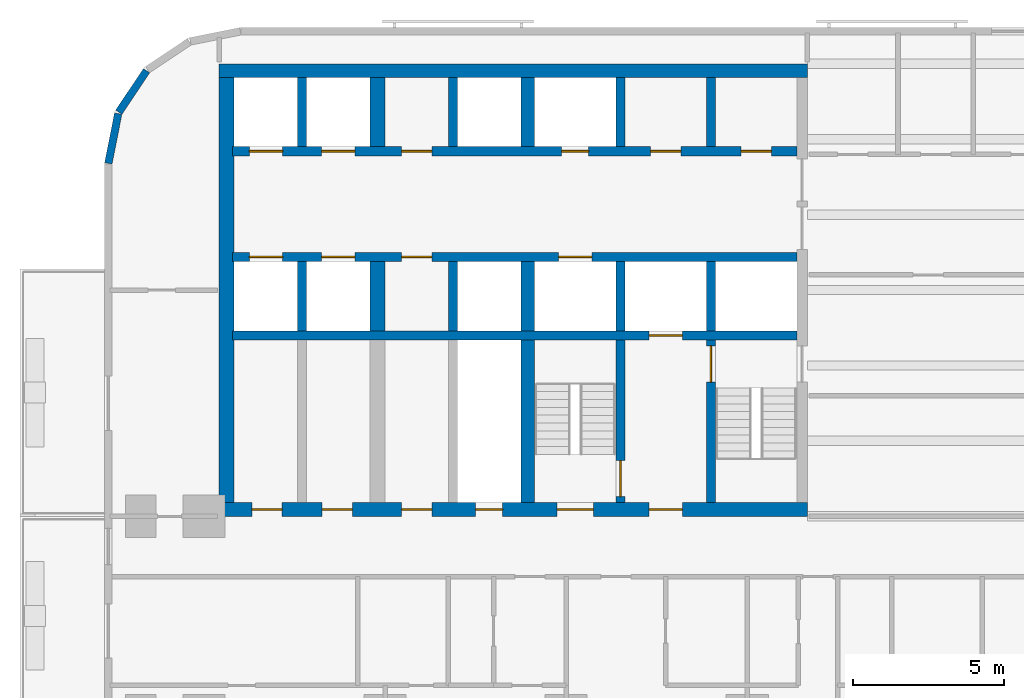
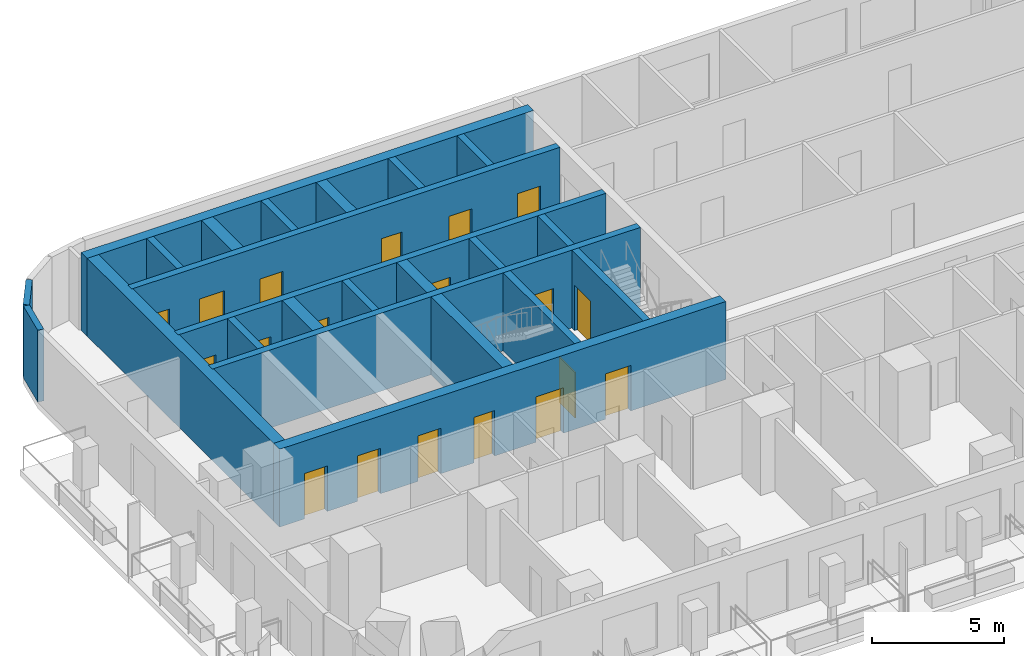
# One storey, part 3 of 14: 23 walls, 19 doors, 19 openings.
"""IFC4 building model written with IfcOpenShell, lengths in metres."""

from ifc_helpers import new_model, si_unit, direction, frame, frame_2d, origin, place, context, subcontext, project, spatial, rectangle, extrude, material, layer, layer_set, type_object, element, fill, save


model = new_model("IFC4")

# Units and contexts
model_context = context("Model", 3, precision=1e-05, world=origin(), true_north=direction((0.0, 1.0)))
body_context = subcontext(model_context, "Body", "Model", "MODEL_VIEW")
ifc_project = project(units=[si_unit("LENGTHUNIT", "METRE"), si_unit("AREAUNIT", "SQUARE_METRE"), si_unit("VOLUMEUNIT", "CUBIC_METRE"), si_unit("PLANEANGLEUNIT", "RADIAN"), si_unit("MASSUNIT", "GRAM", prefix="KILO")], contexts=[model_context])

# Site, building, storey
site_placement = place(None, origin())
site = spatial("IfcSite", under=ifc_project, at=site_placement, CompositionType="ELEMENT")
building_placement = place(site_placement, origin())
building = spatial("IfcBuilding", under=site, at=building_placement, Name="Torana Hotel and Residences", CompositionType="ELEMENT")
storey_placement = place(building_placement, frame((0.0, 0.0, 96.0)))
storey = spatial("IfcBuildingStorey", under=building, at=storey_placement, Name="L24", CompositionType="ELEMENT", Elevation=96.0)

# Wall, openings, doors
ifc_material_1 = material(Name="Concrete C80/95", Category="concrete")
ifc_layer_1 = layer(ifc_material_1, 0.300048828125)
ifc_layer_set_1 = layer_set([ifc_layer_1], Name="CORE WALL 300 C80/95")
wall_type_1 = type_object("IfcWallType", Name="CORE WALL 300 C80/95", PredefinedType="SHEAR", material=ifc_layer_set_1)
wall_1_placement = place(storey_placement, frame((-29.050048828125, -2.89990234375, 0.0), z_axis=(0.0, 0.0, 1.0), x_axis=(1.0, 0.0, 0.0)))
wall_1 = element("IfcWall", 1, at=wall_1_placement, inside=storey, type_object=wall_type_1, Name="Core wall W row-N", PredefinedType="SHEAR", context=body_context, shape_type="SweptSolid", body=[
    extrude(rectangle(XDim=18.699951171875, YDim=0.300048828125, at=frame_2d((9.35009765625, 0.0))), origin(), (0.0, 0.0, 1.0), 3.60009765625),
])
opening_1_placement = place(wall_1_placement, frame((2.949951171875, 0.0, 0.0)))
opening_1 = element("IfcOpeningElement", 2, at=opening_1_placement, cuts=wall_1, Name="Opening LD", PredefinedType="OPENING", context=body_context, shape_type="SweptSolid", body=[
    extrude(rectangle(XDim=1.10009765625, YDim=2.10009765625, at=frame_2d((0.550048828125, 1.050048828125))), frame((0.0, 0.159912109375, 0.0), z_axis=(0.0, -1.0, 0.0), x_axis=(1.0, 0.0, 0.0)), (0.0, 0.0, 1.0), 0.320068359375),
])
opening_2_placement = place(wall_1_placement, frame((0.550048828125, 0.0, 0.0)))
opening_2 = element("IfcOpeningElement", 3, at=opening_2_placement, cuts=wall_1, Name="Opening LD", PredefinedType="OPENING", context=body_context, shape_type="SweptSolid", body=[
    extrude(rectangle(XDim=1.10009765625, YDim=2.10009765625, at=frame_2d((0.550048828125, 1.050048828125))), frame((0.0, 0.159912109375, 0.0), z_axis=(0.0, -1.0, 0.0), x_axis=(1.0, 0.0, 0.0)), (0.0, 0.0, 1.0), 0.320068359375),
])
opening_3_placement = place(wall_1_placement, frame((10.89990234375, 0.0, 0.0)))
opening_3 = element("IfcOpeningElement", 4, at=opening_3_placement, cuts=wall_1, Name="Opening L24-10", PredefinedType="OPENING", context=body_context, shape_type="SweptSolid", body=[
    extrude(rectangle(XDim=0.89990234375, YDim=2.10009765625, at=frame_2d((0.449951171875, 1.050048828125))), frame((0.0, 0.159912109375, 0.0), z_axis=(0.0, -1.0, 0.0), x_axis=(1.0, 0.0, 0.0)), (0.0, 0.0, 1.0), 0.320068359375),
])
opening_4_placement = place(wall_1_placement, frame((16.85009765625, 0.0, 0.0)))
opening_4 = element("IfcOpeningElement", 5, at=opening_4_placement, cuts=wall_1, Name="Opening L24-11", PredefinedType="OPENING", context=body_context, shape_type="SweptSolid", body=[
    extrude(rectangle(XDim=1.0, YDim=2.10009765625, at=frame_2d((0.5, 1.050048828125))), frame((0.0, 0.159912109375, 0.0), z_axis=(0.0, -1.0, 0.0), x_axis=(1.0, 0.0, 0.0)), (0.0, 0.0, 1.0), 0.320068359375),
])
opening_5_placement = place(wall_1_placement, frame((13.85009765625, 0.0, 0.0)))
opening_5 = element("IfcOpeningElement", 6, at=opening_5_placement, cuts=wall_1, Name="Opening L24-12", PredefinedType="OPENING", context=body_context, shape_type="SweptSolid", body=[
    extrude(rectangle(XDim=1.0, YDim=2.10009765625, at=frame_2d((0.5, 1.050048828125))), frame((0.0, 0.159912109375, 0.0), z_axis=(0.0, -1.0, 0.0), x_axis=(1.0, 0.0, 0.0)), (0.0, 0.0, 1.0), 0.320068359375),
])
opening_6_placement = place(wall_1_placement, frame((5.60009765625, 0.0, 0.0)))
opening_6 = element("IfcOpeningElement", 7, at=opening_6_placement, cuts=wall_1, Name="Opening L24-13", PredefinedType="OPENING", context=body_context, shape_type="SweptSolid", body=[
    extrude(rectangle(XDim=1.0, YDim=2.10009765625, at=frame_2d((0.5, 1.050048828125))), frame((0.0, 0.159912109375, 0.0), z_axis=(0.0, -1.0, 0.0), x_axis=(1.0, 0.0, 0.0)), (0.0, 0.0, 1.0), 0.320068359375),
])
ifc_material_2 = material(Name="Steel S235", Category="steel")
door_type_1 = type_object("IfcDoorType", Name="CORE ROOM FIRE DOOR D14 1000x2100", OperationType="SINGLE_SWING_LEFT", PredefinedType="DOOR", material=ifc_material_2)
door_1_placement = place(opening_4_placement, origin())
door_1 = element("IfcDoor", 8, at=door_1_placement, inside=storey, type_object=door_type_1, Name="N0 door L24", OperationType="SINGLE_SWING_RIGHT", OverallHeight=2.10009765625, OverallWidth=1.0, PredefinedType="DOOR", context=body_context, shape_type="SweptSolid", body=[
    extrude(rectangle(XDim=1.0, YDim=2.10009765625, at=frame_2d((0.5, 1.050048828125))), frame((0.0, 0.02490234375, 0.0), z_axis=(0.0, -1.0, 0.0), x_axis=(1.0, 0.0, 0.0)), (0.0, 0.0, 1.0), 0.050048828125),
])
fill(opening_4, door_1)
door_2_placement = place(opening_5_placement, origin())
door_2 = element("IfcDoor", 9, at=door_2_placement, inside=storey, type_object=door_type_1, Name="N1 door L24", OperationType="SINGLE_SWING_RIGHT", OverallHeight=2.10009765625, OverallWidth=1.0, PredefinedType="DOOR", context=body_context, shape_type="SweptSolid", body=[
    extrude(rectangle(XDim=1.0, YDim=2.10009765625, at=frame_2d((0.5, 1.050048828125))), frame((0.0, 0.02490234375, 0.0), z_axis=(0.0, -1.0, 0.0), x_axis=(1.0, 0.0, 0.0)), (0.0, 0.0, 1.0), 0.050048828125),
])
fill(opening_5, door_2)
door_3_placement = place(opening_6_placement, origin())
door_3 = element("IfcDoor", 10, at=door_3_placement, inside=storey, type_object=door_type_1, Name="Free-M1 door L24", OperationType="SINGLE_SWING_RIGHT", OverallHeight=2.10009765625, OverallWidth=1.0, PredefinedType="DOOR", context=body_context, shape_type="SweptSolid", body=[
    extrude(rectangle(XDim=1.0, YDim=2.10009765625, at=frame_2d((0.5, 1.050048828125))), frame((0.0, 0.02490234375, 0.0), z_axis=(0.0, -1.0, 0.0), x_axis=(1.0, 0.0, 0.0)), (0.0, 0.0, 1.0), 0.050048828125),
])
fill(opening_6, door_3)
ifc_material_3 = material(Name="Stainless steel 316", Category="steel")
door_type_2 = type_object("IfcDoorType", Name="LIFT LANDING DOOR LD 1100x2100", OperationType="DOUBLE_DOOR_SLIDING", PredefinedType="USERDEFINED", material=ifc_material_3)
door_4_placement = place(opening_1_placement, origin())
door_4 = element("IfcDoor", 11, at=door_4_placement, inside=storey, type_object=door_type_2, Name="Lift landing door L1 L24", ObjectType="LIFT LANDING DOOR", OperationType="DOUBLE_DOOR_SLIDING", OverallHeight=2.10009765625, OverallWidth=1.10009765625, PredefinedType="USERDEFINED", context=body_context, shape_type="SweptSolid", body=[
    extrude(rectangle(XDim=1.10009765625, YDim=2.10009765625, at=frame_2d((0.550048828125, 1.050048828125))), frame((0.0, 0.02490234375, 0.0), z_axis=(0.0, -1.0, 0.0), x_axis=(1.0, 0.0, 0.0)), (0.0, 0.0, 1.0), 0.050048828125),
])
fill(opening_1, door_4)
door_5_placement = place(opening_2_placement, origin())
door_5 = element("IfcDoor", 12, at=door_5_placement, inside=storey, type_object=door_type_2, Name="Lift landing door L2 L24", ObjectType="LIFT LANDING DOOR", OperationType="DOUBLE_DOOR_SLIDING", OverallHeight=2.10009765625, OverallWidth=1.10009765625, PredefinedType="USERDEFINED", context=body_context, shape_type="SweptSolid", body=[
    extrude(rectangle(XDim=1.10009765625, YDim=2.10009765625, at=frame_2d((0.550048828125, 1.050048828125))), frame((0.0, 0.02490234375, 0.0), z_axis=(0.0, -1.0, 0.0), x_axis=(1.0, 0.0, 0.0)), (0.0, 0.0, 1.0), 0.050048828125),
])
fill(opening_2, door_5)
ifc_material_4 = material(Name="Steel S235", Category="steel")
door_type_3 = type_object("IfcDoorType", Name="RISER ACCESS DOOR D5 900x2100", OperationType="SINGLE_SWING_LEFT", PredefinedType="DOOR", material=ifc_material_4)
door_6_placement = place(opening_3_placement, origin())
door_6 = element("IfcDoor", 13, at=door_6_placement, inside=storey, type_object=door_type_3, Name="N2 door L24", OperationType="SINGLE_SWING_RIGHT", OverallHeight=2.10009765625, OverallWidth=0.89990234375, PredefinedType="DOOR", context=body_context, shape_type="SweptSolid", body=[
    extrude(rectangle(XDim=0.89990234375, YDim=2.10009765625, at=frame_2d((0.449951171875, 1.050048828125))), frame((0.0, 0.02490234375, 0.0), z_axis=(0.0, -1.0, 0.0), x_axis=(1.0, 0.0, 0.0)), (0.0, 0.0, 1.0), 0.050048828125),
])
fill(opening_3, door_6)

wall_2_placement = place(storey_placement, frame((-29.050048828125, -6.39990234375, 0.0), z_axis=(0.0, 0.0, 1.0), x_axis=(1.0, 0.0, 0.0)))
wall_2 = element("IfcWall", 14, at=wall_2_placement, inside=storey, type_object=wall_type_1, Name="Core wall W row-S", PredefinedType="SHEAR", context=body_context, shape_type="SweptSolid", body=[
    extrude(rectangle(XDim=18.699951171875, YDim=0.300048828125, at=frame_2d((9.35009765625, 0.0))), origin(), (0.0, 0.0, 1.0), 3.60009765625),
])
opening_7_placement = place(wall_2_placement, frame((2.949951171875, 0.0, 0.0)))
opening_7 = element("IfcOpeningElement", 15, at=opening_7_placement, cuts=wall_2, Name="Opening LD", PredefinedType="OPENING", context=body_context, shape_type="SweptSolid", body=[
    extrude(rectangle(XDim=1.10009765625, YDim=2.10009765625, at=frame_2d((0.550048828125, 1.050048828125))), frame((0.0, 0.159912109375, 0.0), z_axis=(0.0, -1.0, 0.0), x_axis=(1.0, 0.0, 0.0)), (0.0, 0.0, 1.0), 0.320068359375),
])
opening_8_placement = place(wall_2_placement, frame((0.550048828125, 0.0, 0.0)))
opening_8 = element("IfcOpeningElement", 16, at=opening_8_placement, cuts=wall_2, Name="Opening LD", PredefinedType="OPENING", context=body_context, shape_type="SweptSolid", body=[
    extrude(rectangle(XDim=1.10009765625, YDim=2.10009765625, at=frame_2d((0.550048828125, 1.050048828125))), frame((0.0, 0.159912109375, 0.0), z_axis=(0.0, -1.0, 0.0), x_axis=(1.0, 0.0, 0.0)), (0.0, 0.0, 1.0), 0.320068359375),
])
opening_9_placement = place(wall_2_placement, frame((10.800048828125, 0.0, 0.0)))
opening_9 = element("IfcOpeningElement", 17, at=opening_9_placement, cuts=wall_2, Name="Opening LD", PredefinedType="OPENING", context=body_context, shape_type="SweptSolid", body=[
    extrude(rectangle(XDim=1.10009765625, YDim=2.10009765625, at=frame_2d((0.550048828125, 1.050048828125))), frame((0.0, 0.159912109375, 0.0), z_axis=(0.0, -1.0, 0.0), x_axis=(1.0, 0.0, 0.0)), (0.0, 0.0, 1.0), 0.320068359375),
])
opening_10_placement = place(wall_2_placement, frame((5.60009765625, 0.0, 0.0)))
opening_10 = element("IfcOpeningElement", 18, at=opening_10_placement, cuts=wall_2, Name="Opening L24-14", PredefinedType="OPENING", context=body_context, shape_type="SweptSolid", body=[
    extrude(rectangle(XDim=1.0, YDim=2.10009765625, at=frame_2d((0.5, 1.050048828125))), frame((0.0, 0.159912109375, 0.0), z_axis=(0.0, -1.0, 0.0), x_axis=(1.0, 0.0, 0.0)), (0.0, 0.0, 1.0), 0.320068359375),
])
door_7_placement = place(opening_10_placement, frame((0.5, 0.0, 0.0), z_axis=(0.0, 0.0, 1.0), x_axis=(-1.0, 0.0, 0.0)))
door_7 = element("IfcDoor", 19, at=door_7_placement, inside=storey, type_object=door_type_1, Name="Free-M2 door L24", OperationType="SINGLE_SWING_LEFT", OverallHeight=2.10009765625, OverallWidth=1.0, PredefinedType="DOOR", context=body_context, shape_type="SweptSolid", body=[
    extrude(rectangle(XDim=1.0, YDim=2.10009765625, at=frame_2d((0.0, 1.050048828125))), frame((0.0, -0.02490234375, 0.0), z_axis=(0.0, 1.0, 0.0), x_axis=(-1.0, 0.0, 0.0)), (0.0, 0.0, 1.0), 0.050048828125),
])
fill(opening_10, door_7)
door_8_placement = place(opening_7_placement, origin())
door_8 = element("IfcDoor", 20, at=door_8_placement, inside=storey, type_object=door_type_2, Name="Lift landing door L3 L24", ObjectType="LIFT LANDING DOOR", OperationType="DOUBLE_DOOR_SLIDING", OverallHeight=2.10009765625, OverallWidth=1.10009765625, PredefinedType="USERDEFINED", context=body_context, shape_type="SweptSolid", body=[
    extrude(rectangle(XDim=1.10009765625, YDim=2.10009765625, at=frame_2d((0.550048828125, 1.050048828125))), frame((0.0, 0.02490234375, 0.0), z_axis=(0.0, -1.0, 0.0), x_axis=(1.0, 0.0, 0.0)), (0.0, 0.0, 1.0), 0.050048828125),
])
fill(opening_7, door_8)
door_9_placement = place(opening_8_placement, origin())
door_9 = element("IfcDoor", 21, at=door_9_placement, inside=storey, type_object=door_type_2, Name="Lift landing door L4 L24", ObjectType="LIFT LANDING DOOR", OperationType="DOUBLE_DOOR_SLIDING", OverallHeight=2.10009765625, OverallWidth=1.10009765625, PredefinedType="USERDEFINED", context=body_context, shape_type="SweptSolid", body=[
    extrude(rectangle(XDim=1.10009765625, YDim=2.10009765625, at=frame_2d((0.550048828125, 1.050048828125))), frame((0.0, 0.02490234375, 0.0), z_axis=(0.0, -1.0, 0.0), x_axis=(1.0, 0.0, 0.0)), (0.0, 0.0, 1.0), 0.050048828125),
])
fill(opening_8, door_9)
door_10_placement = place(opening_9_placement, origin())
door_10 = element("IfcDoor", 22, at=door_10_placement, inside=storey, type_object=door_type_2, Name="Lift landing door SV1 L24", ObjectType="LIFT LANDING DOOR", OperationType="DOUBLE_DOOR_SLIDING", OverallHeight=2.10009765625, OverallWidth=1.10009765625, PredefinedType="USERDEFINED", context=body_context, shape_type="SweptSolid", body=[
    extrude(rectangle(XDim=1.10009765625, YDim=2.10009765625, at=frame_2d((0.550048828125, 1.050048828125))), frame((0.0, 0.02490234375, 0.0), z_axis=(0.0, -1.0, 0.0), x_axis=(1.0, 0.0, 0.0)), (0.0, 0.0, 1.0), 0.050048828125),
])
fill(opening_9, door_10)

# Wall, opening, door
wall_3_placement = place(storey_placement, frame((-29.050048828125, -9.0, 0.0), z_axis=(0.0, 0.0, 1.0), x_axis=(1.0, 0.0, 0.0)))
wall_3 = element("IfcWall", 23, at=wall_3_placement, inside=storey, type_object=wall_type_1, Name="Core wall W band", PredefinedType="SHEAR", context=body_context, shape_type="SweptSolid", body=[
    extrude(rectangle(XDim=18.699951171875, YDim=0.300048828125, at=frame_2d((9.35009765625, 0.0))), origin(), (0.0, 0.0, 1.0), 3.60009765625),
])
opening_11_placement = place(wall_3_placement, frame((13.800048828125, 0.0, 0.0)))
opening_11 = element("IfcOpeningElement", 24, at=opening_11_placement, cuts=wall_3, Name="Opening LD", PredefinedType="OPENING", context=body_context, shape_type="SweptSolid", body=[
    extrude(rectangle(XDim=1.10009765625, YDim=2.10009765625, at=frame_2d((0.550048828125, 1.050048828125))), frame((0.0, 0.159912109375, 0.0), z_axis=(0.0, -1.0, 0.0), x_axis=(1.0, 0.0, 0.0)), (0.0, 0.0, 1.0), 0.320068359375),
])
door_11_placement = place(opening_11_placement, origin())
door_11 = element("IfcDoor", 25, at=door_11_placement, inside=storey, type_object=door_type_2, Name="Lift landing door FF1 L24", ObjectType="LIFT LANDING DOOR", OperationType="DOUBLE_DOOR_SLIDING", OverallHeight=2.10009765625, OverallWidth=1.10009765625, PredefinedType="USERDEFINED", context=body_context, shape_type="SweptSolid", body=[
    extrude(rectangle(XDim=1.10009765625, YDim=2.10009765625, at=frame_2d((0.550048828125, 1.050048828125))), frame((0.0, 0.02490234375, 0.0), z_axis=(0.0, -1.0, 0.0), x_axis=(1.0, 0.0, 0.0)), (0.0, 0.0, 1.0), 0.050048828125),
])
fill(opening_11, door_11)

# Walls
for number, where, z_axis, x_axis, name in (
    (26, (-13.199951171875, -2.75, 0.0), (0.0, 0.0, 1.0), (0.0, 1.0, 0.0), "Core wall W x3.05-N"),
    (27, (-13.199951171875, -8.85009765625, 0.0), (0.0, 0.0, 1.0), (0.0, 1.0, 0.0), "Core wall W x3.05-S"),
):
    element("IfcWall", number, at=place(storey_placement, frame(where, z_axis=z_axis, x_axis=x_axis)), inside=storey, type_object=wall_type_1, Name=name, PredefinedType="SHEAR", context=body_context, shape_type="SweptSolid", body=[
        extrude(rectangle(XDim=2.300048828125, YDim=0.300048828125, at=frame_2d((1.14990234375, 0.0))), origin(), (0.0, 0.0, 1.0), 3.60009765625),
    ])

# Wall, opening, door
wall_4_placement = place(storey_placement, frame((-13.199951171875, -14.550048828125, 0.0), z_axis=(0.0, 0.0, 1.0), x_axis=(0.0, 1.0, 0.0)))
wall_4 = element("IfcWall", 28, at=wall_4_placement, inside=storey, type_object=wall_type_1, Name="Core wall W x3.05-band", PredefinedType="SHEAR", context=body_context, shape_type="SweptSolid", body=[
    extrude(rectangle(XDim=5.400146484375, YDim=0.300048828125, at=frame_2d((2.7001953125, 0.0))), origin(), (0.0, 0.0, 1.0), 3.60009765625),
])
opening_12_placement = place(wall_4_placement, frame((4.0, 0.0, 0.0)))
opening_12 = element("IfcOpeningElement", 29, at=opening_12_placement, cuts=wall_4, Name="Opening L24-15", PredefinedType="OPENING", context=body_context, shape_type="SweptSolid", body=[
    extrude(rectangle(XDim=1.199951171875, YDim=2.10009765625, at=frame_2d((0.60009765625, 1.050048828125))), frame((0.0, 0.159912109375, 0.0), z_axis=(0.0, -1.0, 0.0), x_axis=(1.0, 0.0, 0.0)), (0.0, 0.0, 1.0), 0.320068359375),
])
ifc_material_5 = material(Name="Steel S235", Category="steel")
door_type_4 = type_object("IfcDoorType", Name="STAIR FIRE DOOR D3 1200x2100", OperationType="SINGLE_SWING_LEFT", PredefinedType="DOOR", material=ifc_material_5)
door_12_placement = place(opening_12_placement, frame((0.60009765625, 0.0, 0.0), z_axis=(0.0, 0.0, 1.0), x_axis=(-1.0, 0.0, 0.0)))
door_12 = element("IfcDoor", 30, at=door_12_placement, inside=storey, type_object=door_type_4, Name="Stair-A-lobby door L24", OperationType="SINGLE_SWING_RIGHT", OverallHeight=2.10009765625, OverallWidth=1.199951171875, PredefinedType="DOOR", context=body_context, shape_type="SweptSolid", body=[
    extrude(rectangle(XDim=1.199951171875, YDim=2.10009765625, at=frame_2d((0.0, 1.050048828125))), frame((0.0, -0.02490234375, 0.0), z_axis=(0.0, 1.0, 0.0), x_axis=(-1.0, 0.0, 0.0)), (0.0, 0.0, 1.0), 0.050048828125),
])
fill(opening_12, door_12)

# Walls
for number, where, z_axis, x_axis, name in (
    (31, (-16.199951171875, -2.75, 0.0), (0.0, 0.0, 1.0), (0.0, 1.0, 0.0), "Core wall W x6.05-N"),
    (32, (-16.199951171875, -8.85009765625, 0.0), (0.0, 0.0, 1.0), (0.0, 1.0, 0.0), "Core wall W x6.05-S"),
):
    element("IfcWall", number, at=place(storey_placement, frame(where, z_axis=z_axis, x_axis=x_axis)), inside=storey, type_object=wall_type_1, Name=name, PredefinedType="SHEAR", context=body_context, shape_type="SweptSolid", body=[
        extrude(rectangle(XDim=2.300048828125, YDim=0.300048828125, at=frame_2d((1.14990234375, 0.0))), origin(), (0.0, 0.0, 1.0), 3.60009765625),
    ])

# Wall, opening, door
wall_5_placement = place(storey_placement, frame((-16.199951171875, -14.550048828125, 0.0), z_axis=(0.0, 0.0, 1.0), x_axis=(0.0, 1.0, 0.0)))
wall_5 = element("IfcWall", 33, at=wall_5_placement, inside=storey, type_object=wall_type_1, Name="Core wall W x6.05-band", PredefinedType="SHEAR", context=body_context, shape_type="SweptSolid", body=[
    extrude(rectangle(XDim=5.400146484375, YDim=0.300048828125, at=frame_2d((2.7001953125, 0.0))), origin(), (0.0, 0.0, 1.0), 3.60009765625),
])
opening_13_placement = place(wall_5_placement, frame((0.199951171875, 0.0, 0.0)))
opening_13 = element("IfcOpeningElement", 34, at=opening_13_placement, cuts=wall_5, Name="Opening L24-16", PredefinedType="OPENING", context=body_context, shape_type="SweptSolid", body=[
    extrude(rectangle(XDim=1.199951171875, YDim=2.10009765625, at=frame_2d((0.60009765625, 1.050048828125))), frame((0.0, 0.159912109375, 0.0), z_axis=(0.0, -1.0, 0.0), x_axis=(1.0, 0.0, 0.0)), (0.0, 0.0, 1.0), 0.320068359375),
])
door_13_placement = place(opening_13_placement, origin())
door_13 = element("IfcDoor", 35, at=door_13_placement, inside=storey, type_object=door_type_4, Name="Stair-B-lobby door L24", OperationType="SINGLE_SWING_RIGHT", OverallHeight=2.10009765625, OverallWidth=1.199951171875, PredefinedType="DOOR", context=body_context, shape_type="SweptSolid", body=[
    extrude(rectangle(XDim=1.199951171875, YDim=2.10009765625, at=frame_2d((0.60009765625, 1.050048828125))), frame((0.0, 0.02490234375, 0.0), z_axis=(0.0, -1.0, 0.0), x_axis=(1.0, 0.0, 0.0)), (0.0, 0.0, 1.0), 0.050048828125),
])
fill(opening_13, door_13)

# Walls
for number, where, z_axis, x_axis, name in (
    (36, (-21.75, -2.75, 0.0), (0.0, 0.0, 1.0), (0.0, 1.0, 0.0), "Core wall W mm-N"),
    (37, (-21.75, -8.85009765625, 0.0), (0.0, 0.0, 1.0), (0.0, 1.0, 0.0), "Core wall W mm-S"),
    (38, (-26.75, -2.75, 0.0), (0.0, 0.0, 1.0), (0.0, 1.0, 0.0), "Core wall W ll-N"),
    (39, (-26.75, -8.85009765625, 0.0), (0.0, 0.0, 1.0), (0.0, 1.0, 0.0), "Core wall W ll-S"),
):
    element("IfcWall", number, at=place(storey_placement, frame(where, z_axis=z_axis, x_axis=x_axis)), inside=storey, type_object=wall_type_1, Name=name, PredefinedType="SHEAR", context=body_context, shape_type="SweptSolid", body=[
        extrude(rectangle(XDim=2.300048828125, YDim=0.300048828125, at=frame_2d((1.14990234375, 0.0))), origin(), (0.0, 0.0, 1.0), 3.60009765625),
    ])
ifc_material_6 = material(Name="Concrete C80/95", Category="concrete")
ifc_layer_2 = layer(ifc_material_6, 0.449951171875)
ifc_layer_set_2 = layer_set([ifc_layer_2], Name="CORE WALL 450 C80/95")
wall_type_2 = type_object("IfcWallType", Name="CORE WALL 450 C80/95", PredefinedType="SHEAR", material=ifc_layer_set_2)
wall_6_placement = place(storey_placement, frame((-29.5, -0.22509765625, 0.0), z_axis=(0.0, 0.0, 1.0), x_axis=(1.0, 0.0, 0.0)))
element("IfcWall", 40, at=wall_6_placement, inside=storey, type_object=wall_type_2, Name="Core wall W rear", PredefinedType="SHEAR", context=body_context, shape_type="SweptSolid", body=[
    extrude(rectangle(XDim=19.5, YDim=0.449951171875, at=frame_2d((9.75, 0.0))), origin(), (0.0, 0.0, 1.0), 3.60009765625),
])

# Wall, openings, doors
wall_7_placement = place(storey_placement, frame((-29.5, -14.77490234375, 0.0), z_axis=(0.0, 0.0, 1.0), x_axis=(1.0, 0.0, 0.0)))
wall_7 = element("IfcWall", 41, at=wall_7_placement, inside=storey, type_object=wall_type_2, Name="Core wall W front", PredefinedType="SHEAR", context=body_context, shape_type="SweptSolid", body=[
    extrude(rectangle(XDim=19.5, YDim=0.449951171875, at=frame_2d((9.75, 0.0))), origin(), (0.0, 0.0, 1.0), 3.60009765625),
])
opening_14_placement = place(wall_7_placement, frame((11.199951171875, 0.0, 0.0)))
opening_14 = element("IfcOpeningElement", 42, at=opening_14_placement, cuts=wall_7, Name="Opening L24-04", PredefinedType="OPENING", context=body_context, shape_type="SweptSolid", body=[
    extrude(rectangle(XDim=1.199951171875, YDim=2.10009765625, at=frame_2d((0.60009765625, 1.050048828125))), frame((0.0, 0.23486328125, 0.0), z_axis=(0.0, -1.0, 0.0), x_axis=(1.0, 0.0, 0.0)), (0.0, 0.0, 1.0), 0.469970703125),
])
opening_15_placement = place(wall_7_placement, frame((14.25, 0.0, 0.0)))
opening_15 = element("IfcOpeningElement", 43, at=opening_15_placement, cuts=wall_7, Name="Opening L24-05", PredefinedType="OPENING", context=body_context, shape_type="SweptSolid", body=[
    extrude(rectangle(XDim=1.10009765625, YDim=2.10009765625, at=frame_2d((0.550048828125, 1.050048828125))), frame((0.0, 0.23486328125, 0.0), z_axis=(0.0, -1.0, 0.0), x_axis=(1.0, 0.0, 0.0)), (0.0, 0.0, 1.0), 0.469970703125),
])
opening_16_placement = place(wall_7_placement, frame((8.5, 0.0, 0.0)))
opening_16 = element("IfcOpeningElement", 44, at=opening_16_placement, cuts=wall_7, Name="Opening L24-06", PredefinedType="OPENING", context=body_context, shape_type="SweptSolid", body=[
    extrude(rectangle(XDim=0.89990234375, YDim=2.10009765625, at=frame_2d((0.449951171875, 1.050048828125))), frame((0.0, 0.23486328125, 0.0), z_axis=(0.0, -1.0, 0.0), x_axis=(1.0, 0.0, 0.0)), (0.0, 0.0, 1.0), 0.469970703125),
])
opening_17_placement = place(wall_7_placement, frame((6.050048828125, 0.0, 0.0)))
opening_17 = element("IfcOpeningElement", 45, at=opening_17_placement, cuts=wall_7, Name="Opening L24-07", PredefinedType="OPENING", context=body_context, shape_type="SweptSolid", body=[
    extrude(rectangle(XDim=1.0, YDim=2.10009765625, at=frame_2d((0.5, 1.050048828125))), frame((0.0, 0.23486328125, 0.0), z_axis=(0.0, -1.0, 0.0), x_axis=(1.0, 0.0, 0.0)), (0.0, 0.0, 1.0), 0.469970703125),
])
opening_18_placement = place(wall_7_placement, frame((3.41259765625, 0.0, 0.0)))
opening_18 = element("IfcOpeningElement", 46, at=opening_18_placement, cuts=wall_7, Name="Opening L24-08", PredefinedType="OPENING", context=body_context, shape_type="SweptSolid", body=[
    extrude(rectangle(XDim=1.0, YDim=2.10009765625, at=frame_2d((0.5, 1.050048828125))), frame((0.0, 0.23486328125, 0.0), z_axis=(0.0, -1.0, 0.0), x_axis=(1.0, 0.0, 0.0)), (0.0, 0.0, 1.0), 0.469970703125),
])
opening_19_placement = place(wall_7_placement, frame((1.08740234375, 0.0, 0.0)))
opening_19 = element("IfcOpeningElement", 47, at=opening_19_placement, cuts=wall_7, Name="Opening L24-09", PredefinedType="OPENING", context=body_context, shape_type="SweptSolid", body=[
    extrude(rectangle(XDim=1.0, YDim=2.10009765625, at=frame_2d((0.5, 1.050048828125))), frame((0.0, 0.23486328125, 0.0), z_axis=(0.0, -1.0, 0.0), x_axis=(1.0, 0.0, 0.0)), (0.0, 0.0, 1.0), 0.469970703125),
])
door_14_placement = place(opening_17_placement, origin())
door_14 = element("IfcDoor", 48, at=door_14_placement, inside=storey, type_object=door_type_1, Name="M-Room door L24", OperationType="SINGLE_SWING_RIGHT", OverallHeight=2.10009765625, OverallWidth=1.0, PredefinedType="DOOR", context=body_context, shape_type="SweptSolid", body=[
    extrude(rectangle(XDim=1.0, YDim=2.10009765625, at=frame_2d((0.5, 1.050048828125))), frame((0.0, 0.02490234375, 0.0), z_axis=(0.0, -1.0, 0.0), x_axis=(1.0, 0.0, 0.0)), (0.0, 0.0, 1.0), 0.050048828125),
])
fill(opening_17, door_14)
door_15_placement = place(opening_18_placement, origin())
door_15 = element("IfcDoor", 49, at=door_15_placement, inside=storey, type_object=door_type_1, Name="L-A door L24", OperationType="SINGLE_SWING_RIGHT", OverallHeight=2.10009765625, OverallWidth=1.0, PredefinedType="DOOR", context=body_context, shape_type="SweptSolid", body=[
    extrude(rectangle(XDim=1.0, YDim=2.10009765625, at=frame_2d((0.5, 1.050048828125))), frame((0.0, 0.02490234375, 0.0), z_axis=(0.0, -1.0, 0.0), x_axis=(1.0, 0.0, 0.0)), (0.0, 0.0, 1.0), 0.050048828125),
])
fill(opening_18, door_15)
door_16_placement = place(opening_19_placement, origin())
door_16 = element("IfcDoor", 50, at=door_16_placement, inside=storey, type_object=door_type_1, Name="L-B door L24", OperationType="SINGLE_SWING_RIGHT", OverallHeight=2.10009765625, OverallWidth=1.0, PredefinedType="DOOR", context=body_context, shape_type="SweptSolid", body=[
    extrude(rectangle(XDim=1.0, YDim=2.10009765625, at=frame_2d((0.5, 1.050048828125))), frame((0.0, 0.02490234375, 0.0), z_axis=(0.0, -1.0, 0.0), x_axis=(1.0, 0.0, 0.0)), (0.0, 0.0, 1.0), 0.050048828125),
])
fill(opening_19, door_16)
ifc_material_7 = material(Name="Steel S235", Category="steel")
door_type_5 = type_object("IfcDoorType", Name="FIRE-FIGHTING LOBBY DOOR D8 1100x2100", OperationType="SINGLE_SWING_LEFT", PredefinedType="DOOR", material=ifc_material_7)
door_17_placement = place(opening_15_placement, origin())
door_17 = element("IfcDoor", 51, at=door_17_placement, inside=storey, type_object=door_type_5, Name="FF-lobby door L24", OperationType="SINGLE_SWING_RIGHT", OverallHeight=2.10009765625, OverallWidth=1.10009765625, PredefinedType="DOOR", context=body_context, shape_type="SweptSolid", body=[
    extrude(rectangle(XDim=1.10009765625, YDim=2.10009765625, at=frame_2d((0.550048828125, 1.050048828125))), frame((0.0, 0.02490234375, 0.0), z_axis=(0.0, -1.0, 0.0), x_axis=(1.0, 0.0, 0.0)), (0.0, 0.0, 1.0), 0.050048828125),
])
fill(opening_15, door_17)
door_18_placement = place(opening_16_placement, origin())
door_18 = element("IfcDoor", 52, at=door_18_placement, inside=storey, type_object=door_type_3, Name="M-Riser door L24", OperationType="SINGLE_SWING_RIGHT", OverallHeight=2.10009765625, OverallWidth=0.89990234375, PredefinedType="DOOR", context=body_context, shape_type="SweptSolid", body=[
    extrude(rectangle(XDim=0.89990234375, YDim=2.10009765625, at=frame_2d((0.449951171875, 1.050048828125))), frame((0.0, 0.02490234375, 0.0), z_axis=(0.0, -1.0, 0.0), x_axis=(1.0, 0.0, 0.0)), (0.0, 0.0, 1.0), 0.050048828125),
])
fill(opening_16, door_18)
door_19_placement = place(opening_14_placement, origin())
door_19 = element("IfcDoor", 53, at=door_19_placement, inside=storey, type_object=door_type_4, Name="Stair-B door L24", OperationType="SINGLE_SWING_RIGHT", OverallHeight=2.10009765625, OverallWidth=1.199951171875, PredefinedType="DOOR", context=body_context, shape_type="SweptSolid", body=[
    extrude(rectangle(XDim=1.199951171875, YDim=2.10009765625, at=frame_2d((0.60009765625, 1.050048828125))), frame((0.0, 0.02490234375, 0.0), z_axis=(0.0, -1.0, 0.0), x_axis=(1.0, 0.0, 0.0)), (0.0, 0.0, 1.0), 0.050048828125),
])
fill(opening_14, door_19)

# Walls
for number, where, z_axis, x_axis, name in (
    (54, (-19.27490234375, -2.75, 0.0), (0.0, 0.0, 1.0), (0.0, 1.0, 0.0), "Core wall W hm-N"),
    (55, (-19.27490234375, -8.85009765625, 0.0), (0.0, 0.0, 1.0), (0.0, 1.0, 0.0), "Core wall W hm-S"),
):
    element("IfcWall", number, at=place(storey_placement, frame(where, z_axis=z_axis, x_axis=x_axis)), inside=storey, type_object=wall_type_2, Name=name, PredefinedType="SHEAR", context=body_context, shape_type="SweptSolid", body=[
        extrude(rectangle(XDim=2.300048828125, YDim=0.449951171875, at=frame_2d((1.14990234375, 0.0))), origin(), (0.0, 0.0, 1.0), 3.60009765625),
    ])
wall_8_placement = place(storey_placement, frame((-19.27490234375, -14.550048828125, 0.0), z_axis=(0.0, 0.0, 1.0), x_axis=(0.0, 1.0, 0.0)))
element("IfcWall", 56, at=wall_8_placement, inside=storey, type_object=wall_type_2, Name="Core wall W hm-band", PredefinedType="SHEAR", context=body_context, shape_type="SweptSolid", body=[
    extrude(rectangle(XDim=5.400146484375, YDim=0.449951171875, at=frame_2d((2.7001953125, 0.0))), origin(), (0.0, 0.0, 1.0), 3.60009765625),
])
ifc_material_8 = material(Name="Concrete C80/95", Category="concrete")
ifc_layer_3 = layer(ifc_material_8, 0.5)
ifc_layer_set_3 = layer_set([ifc_layer_3], Name="CORE WALL 500 C80/95")
wall_type_3 = type_object("IfcWallType", Name="CORE WALL 500 C80/95", PredefinedType="SHEAR", material=ifc_layer_set_3)
wall_9_placement = place(storey_placement, frame((-29.25, -14.550048828125, 0.0), z_axis=(0.0, 0.0, 1.0), x_axis=(0.0, 1.0, 0.0)))
element("IfcWall", 57, at=wall_9_placement, inside=storey, type_object=wall_type_3, Name="Core wall W outer", PredefinedType="SHEAR", context=body_context, shape_type="SweptSolid", body=[
    extrude(rectangle(XDim=14.10009765625, YDim=0.5, at=frame_2d((7.050048828125, 0.0))), origin(), (0.0, 0.0, 1.0), 3.60009765625),
])
for number, where, z_axis, x_axis, name in (
    (58, (-24.25, -2.75, 0.0), (0.0, 0.0, 1.0), (0.0, 1.0, 0.0), "Core wall W ml-N"),
    (59, (-24.25, -8.85009765625, 0.0), (0.0, 0.0, 1.0), (0.0, 1.0, 0.0), "Core wall W ml-S"),
):
    element("IfcWall", number, at=place(storey_placement, frame(where, z_axis=z_axis, x_axis=x_axis)), inside=storey, type_object=wall_type_3, Name=name, PredefinedType="SHEAR", context=body_context, shape_type="SweptSolid", body=[
        extrude(rectangle(XDim=2.300048828125, YDim=0.5, at=frame_2d((1.14990234375, 0.0))), origin(), (0.0, 0.0, 1.0), 3.60009765625),
    ])
ifc_material_9 = material(Name="Black aluminium composite panel", Category="aluminium")
ifc_layer_4 = layer(ifc_material_9, 0.00390625, Name="Cladding", Category="cladding")
ifc_material_10 = material(Name="Ventilated air cavity")
ifc_layer_5 = layer(ifc_material_10, 0.0400390625, Name="Ventilated cavity", Category="cavity")
ifc_material_11 = material(Name="Mineral wool insulation")
ifc_layer_6 = layer(ifc_material_11, 0.090087890625, Name="Insulation", Category="insulation")
ifc_material_12 = material(Name="Steel S280GD", Category="steel")
ifc_layer_7 = layer(ifc_material_12, 0.092041015625, Name="Steel stud frame", Category="structure")
ifc_material_13 = material(Name="Fire rated plasterboard")
ifc_layer_8 = layer(ifc_material_13, 0.011962890625, Name="Inner board", Category="finish")
ifc_layer_9 = layer(ifc_material_13, 0.011962890625, Name="Second board", Category="finish")
ifc_layer_set_4 = layer_set([ifc_layer_4, ifc_layer_5, ifc_layer_6, ifc_layer_7, ifc_layer_8, ifc_layer_9], Name="EW1 EXTERNAL WALL BLACK METAL CLAD 250")
wall_type_4 = type_object("IfcWallType", Name="EW1 EXTERNAL WALL BLACK METAL CLAD 250", PredefinedType="SOLIDWALL", material=ifc_layer_set_4)
wall_10_placement = place(storey_placement, frame((-31.90576171875, -0.228759765625, 0.0), z_axis=(0.0, 0.0, 1.0), x_axis=(-0.55555029066, -0.831482937015, 0.0)))
element("IfcWall", 60, at=wall_10_placement, inside=storey, type_object=wall_type_4, Name="External wall L24 e0.7", PredefinedType="SOLIDWALL", context=body_context, shape_type="SweptSolid", body=[
    extrude(rectangle(XDim=1.65625, YDim=0.25, at=frame_2d((0.828125, 0.0))), origin(), (0.0, 0.0, 1.0), 3.320068359375),
])
wall_11_placement = place(storey_placement, frame((-32.844482421875, -1.651123046875, 0.0), z_axis=(0.0, 0.0, 1.0), x_axis=(-0.19513878023, -0.980775640221, 0.0)))
element("IfcWall", 61, at=wall_11_placement, inside=storey, type_object=wall_type_4, Name="External wall L24 e0.8", PredefinedType="SOLIDWALL", context=body_context, shape_type="SweptSolid", body=[
    extrude(rectangle(XDim=1.681396484375, YDim=0.25, at=frame_2d((0.8408203125, 0.0))), origin(), (0.0, 0.0, 1.0), 3.320068359375),
])

save(model, "model.ifc")
